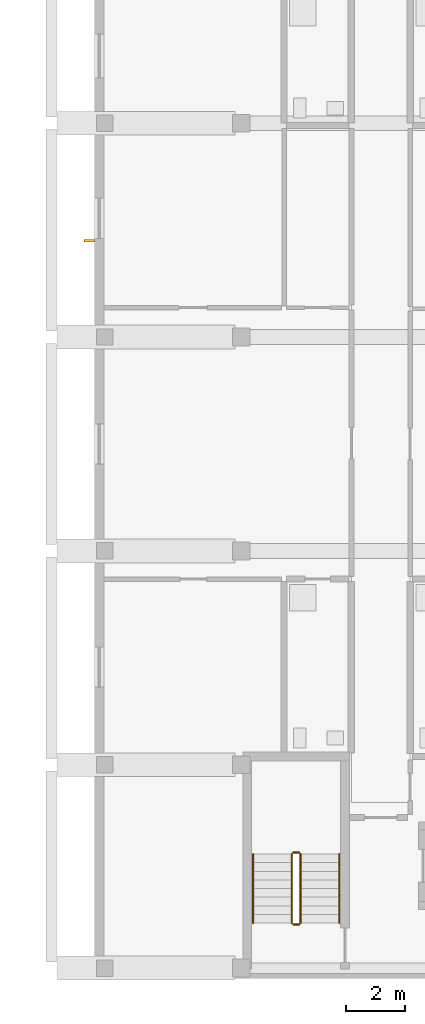
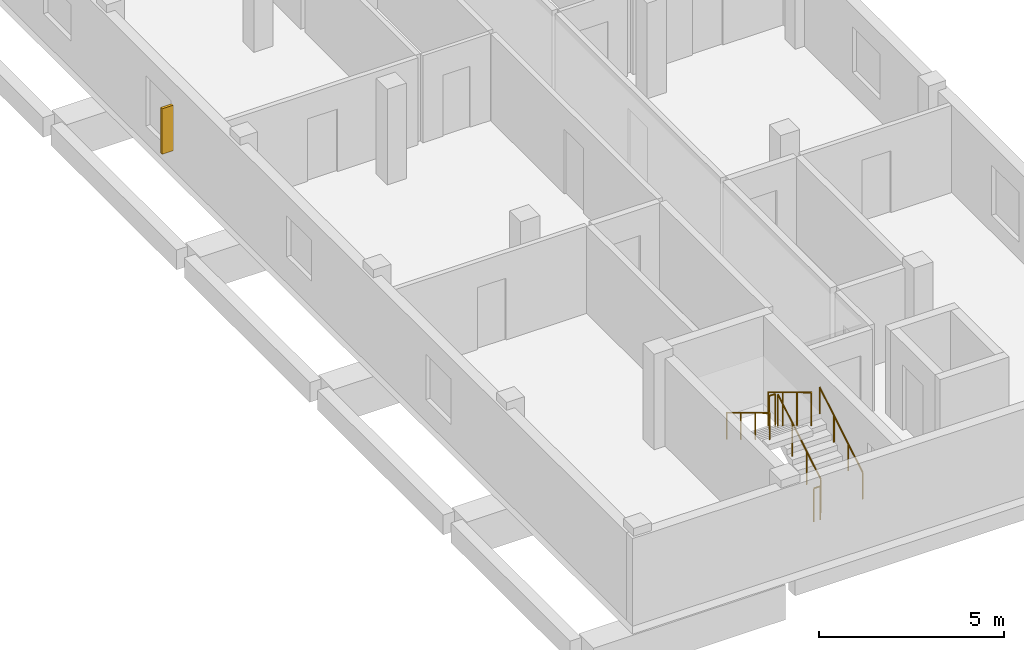
# One storey, part 35 of 41: 6 railings, 1 shading device.
"""IFC4 building model written with IfcOpenShell, lengths in metres."""

from ifc_helpers import new_model, si_unit, derived_unit, direction, frame, origin, origin_2d, place, context, subcontext, project, spatial, rectangle, circle, extrude, material, type_object, element, save


model = new_model("IFC4")

# Units and contexts
model_context = context("Model", 3, precision=1e-05, world=origin(), true_north=direction((0.0, 1.0)))
body_context = subcontext(model_context, "Body", "Model", "MODEL_VIEW")
ifc_project = project(units=[si_unit("LENGTHUNIT", "METRE"), si_unit("AREAUNIT", "SQUARE_METRE"), si_unit("VOLUMEUNIT", "CUBIC_METRE"), si_unit("PLANEANGLEUNIT", "RADIAN"), si_unit("MASSUNIT", "GRAM", prefix="KILO"), derived_unit("THERMALTRANSMITTANCEUNIT", [(si_unit("MASSUNIT", "GRAM", prefix="KILO"), 1), (si_unit("TIMEUNIT", "SECOND"), -3), (si_unit("THERMODYNAMICTEMPERATUREUNIT", "KELVIN"), -1)])], contexts=[model_context])

# Site, building, storey
site_placement = place(None, origin())
site = spatial("IfcSite", under=ifc_project, at=site_placement, CompositionType="ELEMENT")
building_placement = place(site_placement, origin())
building = spatial("IfcBuilding", under=site, at=building_placement, Name="Ochrekiln Boulevard Commons", CompositionType="ELEMENT")
storey_placement = place(building_placement, frame((0.0, 0.0, 21.52490234375)))
storey = spatial("IfcBuildingStorey", under=building, at=storey_placement, Name="L06", CompositionType="ELEMENT", Elevation=21.52490234375)

# Railings
ifc_material_1 = material(Name="Brushed stainless steel 316 tubular railing", Category="steel")
railing_type_1 = type_object("IfcRailingType", Name="RLG-HDR-900", PredefinedType="HANDRAIL", material=ifc_material_1)
railing_1_placement = place(storey_placement, frame((159.449951171875, 1.8701171875, 0.175048828125)))
element("IfcRailing", 1, at=railing_1_placement, inside=storey, type_object=railing_type_1, Name="L06 ST-C1 stair handrail 1", PredefinedType="HANDRAIL", context=body_context, shape_type="SweptSolid", body=[
    extrude(circle(Radius=0.02392578125, at=origin_2d()), frame((0.0, 0.0, 0.8759765625), z_axis=(0.0, 0.856146426353, 0.516733293531), x_axis=(-1.0, 0.0, 0.0)), (0.0, 0.0, 1.0), 2.709716796875),
    extrude(circle(Radius=0.02099609375, at=origin_2d()), origin(), (0.0, 0.0, 1.0), 0.851806640625),
    extrude(circle(Radius=0.02099609375, at=origin_2d()), frame((0.0, 0.773193359375, 0.466796875)), (0.0, 0.0, 1.0), 0.851806640625),
    extrude(circle(Radius=0.02099609375, at=origin_2d()), frame((0.0, 1.546630859375, 0.933349609375)), (0.0, 0.0, 1.0), 0.851806640625),
    extrude(circle(Radius=0.02099609375, at=origin_2d()), frame((0.0, 2.31982421875, 1.400146484375)), (0.0, 0.0, 1.0), 0.851806640625),
])
railing_2_placement = place(storey_placement, frame((156.550048828125, 4.18994140625, 1.75)))
element("IfcRailing", 2, at=railing_2_placement, inside=storey, type_object=railing_type_1, Name="L06 ST-C1 stair handrail 2", PredefinedType="HANDRAIL", context=body_context, shape_type="SweptSolid", body=[
    extrude(circle(Radius=0.02392578125, at=origin_2d()), frame((0.0, 0.0, 0.8759765625), z_axis=(0.0, -0.856146426353, 0.516733293531), x_axis=(1.0, 0.0, 0.0)), (0.0, 0.0, 1.0), 2.709716796875),
    extrude(circle(Radius=0.02099609375, at=origin_2d()), origin(), (0.0, 0.0, 1.0), 0.851806640625),
    extrude(circle(Radius=0.02099609375, at=origin_2d()), frame((0.0, -0.773193359375, 0.466796875)), (0.0, 0.0, 1.0), 0.851806640625),
    extrude(circle(Radius=0.02099609375, at=origin_2d()), frame((0.0, -1.546630859375, 0.933349609375)), (0.0, 0.0, 1.0), 0.851806640625),
    extrude(circle(Radius=0.02099609375, at=origin_2d()), frame((0.0, -2.31982421875, 1.400146484375)), (0.0, 0.0, 1.0), 0.851806640625),
])
railing_type_2 = type_object("IfcRailingType", Name="RLG-STR-1120", PredefinedType="BALUSTRADE", material=ifc_material_1)
railing_3_placement = place(storey_placement, frame((158.14990234375, 1.8701171875, 0.175048828125)))
element("IfcRailing", 3, at=railing_3_placement, inside=storey, type_object=railing_type_2, Name="L06 ST-C1 stair guard 1", PredefinedType="BALUSTRADE", context=body_context, shape_type="SweptSolid", body=[
    extrude(circle(Radius=0.02392578125, at=origin_2d()), frame((0.0, 0.0, 1.09619140625), z_axis=(0.0, 0.856146426353, 0.516733293531), x_axis=(-1.0, 0.0, 0.0)), (0.0, 0.0, 1.0), 2.709716796875),
    extrude(circle(Radius=0.02099609375, at=origin_2d()), origin(), (0.0, 0.0, 1.0), 1.072021484375),
    extrude(circle(Radius=0.02099609375, at=origin_2d()), frame((0.0, 0.773193359375, 0.466796875)), (0.0, 0.0, 1.0), 1.072021484375),
    extrude(circle(Radius=0.02099609375, at=origin_2d()), frame((0.0, 1.546630859375, 0.933349609375)), (0.0, 0.0, 1.0), 1.072021484375),
    extrude(circle(Radius=0.02099609375, at=origin_2d()), frame((0.0, 2.31982421875, 1.400146484375)), (0.0, 0.0, 1.0), 1.072021484375),
])
railing_4_placement = place(storey_placement, frame((158.10009765625, 4.239990234375, 1.5751953125)))
element("IfcRailing", 4, at=railing_4_placement, inside=storey, type_object=railing_type_2, Name="L06 ST-C1 stair guard 2", PredefinedType="BALUSTRADE", context=body_context, shape_type="SweptSolid", body=[
    extrude(circle(Radius=0.02392578125, at=origin_2d()), frame((0.0, 0.0, 1.09619140625), z_axis=(-1.0, 0.0, 0.0), x_axis=(0.0, -1.0, 0.0)), (0.0, 0.0, 1.0), 0.2001953125),
    extrude(circle(Radius=0.02099609375, at=origin_2d()), origin(), (0.0, 0.0, 1.0), 1.072021484375),
    extrude(circle(Radius=0.02099609375, at=origin_2d()), frame((-0.2001953125, 0.0, 0.0)), (0.0, 0.0, 1.0), 1.072021484375),
])
railing_5_placement = place(storey_placement, frame((157.85009765625, 4.18994140625, 1.75)))
element("IfcRailing", 5, at=railing_5_placement, inside=storey, type_object=railing_type_2, Name="L06 ST-C1 stair guard 3", PredefinedType="BALUSTRADE", context=body_context, shape_type="SweptSolid", body=[
    extrude(circle(Radius=0.02392578125, at=origin_2d()), frame((0.0, 0.0, 1.09619140625), z_axis=(0.0, -0.856146426353, 0.516733293531), x_axis=(1.0, 0.0, 0.0)), (0.0, 0.0, 1.0), 2.709716796875),
    extrude(circle(Radius=0.02099609375, at=origin_2d()), origin(), (0.0, 0.0, 1.0), 1.072021484375),
    extrude(circle(Radius=0.02099609375, at=origin_2d()), frame((0.0, -0.773193359375, 0.466796875)), (0.0, 0.0, 1.0), 1.072021484375),
    extrude(circle(Radius=0.02099609375, at=origin_2d()), frame((0.0, -1.546630859375, 0.933349609375)), (0.0, 0.0, 1.0), 1.072021484375),
    extrude(circle(Radius=0.02099609375, at=origin_2d()), frame((0.0, -2.31982421875, 1.400146484375)), (0.0, 0.0, 1.0), 1.072021484375),
])
railing_6_placement = place(storey_placement, frame((158.10009765625, 1.820068359375, 0.0)))
element("IfcRailing", 6, at=railing_6_placement, inside=storey, type_object=railing_type_2, Name="L06 ST-C1 stair guard 4", PredefinedType="BALUSTRADE", context=body_context, shape_type="SweptSolid", body=[
    extrude(circle(Radius=0.02392578125, at=origin_2d()), frame((0.0, 0.0, 1.09619140625), z_axis=(-1.0, 0.0, 0.0), x_axis=(0.0, -1.0, 0.0)), (0.0, 0.0, 1.0), 0.2001953125),
    extrude(circle(Radius=0.02099609375, at=origin_2d()), origin(), (0.0, 0.0, 1.0), 1.072021484375),
    extrude(circle(Radius=0.02099609375, at=origin_2d()), frame((-0.2001953125, 0.0, 0.0)), (0.0, 0.0, 1.0), 1.072021484375),
])

# Shading device
ifc_material_2 = material(Name="Glazed architectural terracotta ASTM C1405", Category="masonry")
shading_device_type = type_object("IfcShadingDeviceType", Name="SHD-FIN-TERRA", PredefinedType="JALOUSIE", material=ifc_material_2)
shading_device_placement = place(storey_placement, frame((151.030029296875, 24.846923828125, 0.630126953125), z_axis=(0.0, 0.0, 1.0), x_axis=(1.0, 0.0, 0.0)))
element("IfcShadingDevice", 7, at=shading_device_placement, inside=storey, type_object=shading_device_type, Name="Terracotta Solar Shading Fin SF-01 (64)", PredefinedType="JALOUSIE", context=body_context, shape_type="SweptSolid", body=[
    extrude(rectangle(XDim=0.35009765625, YDim=0.080078125, at=origin_2d()), origin(), (0.0, 0.0, 1.0), 1.5),
])

save(model, "model.ifc")
